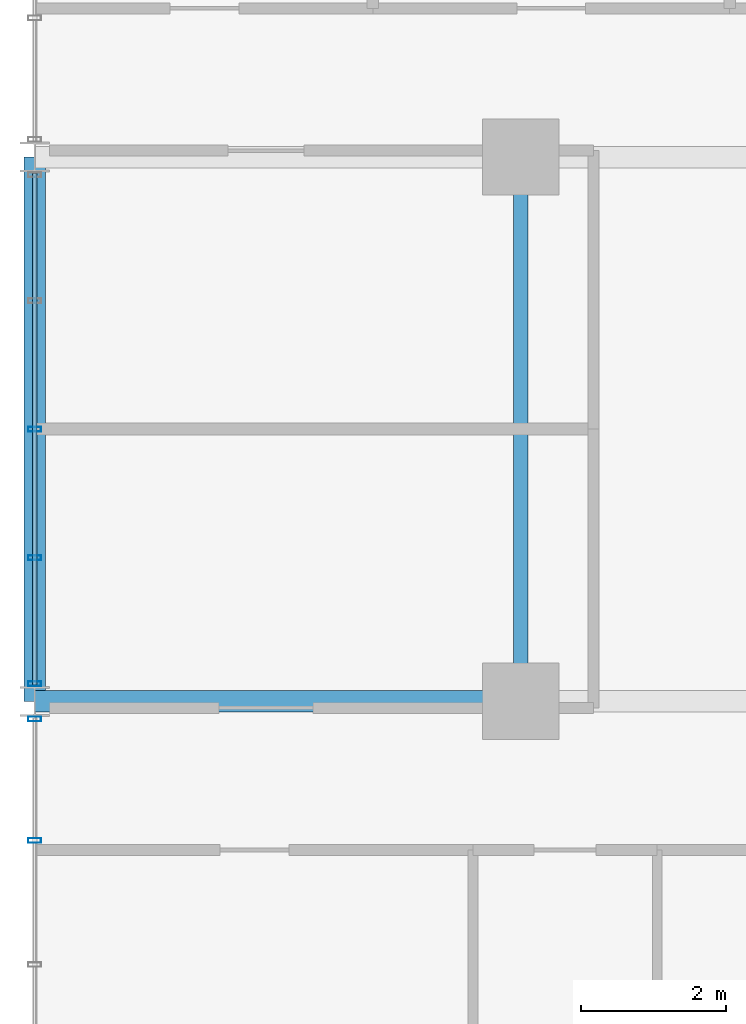
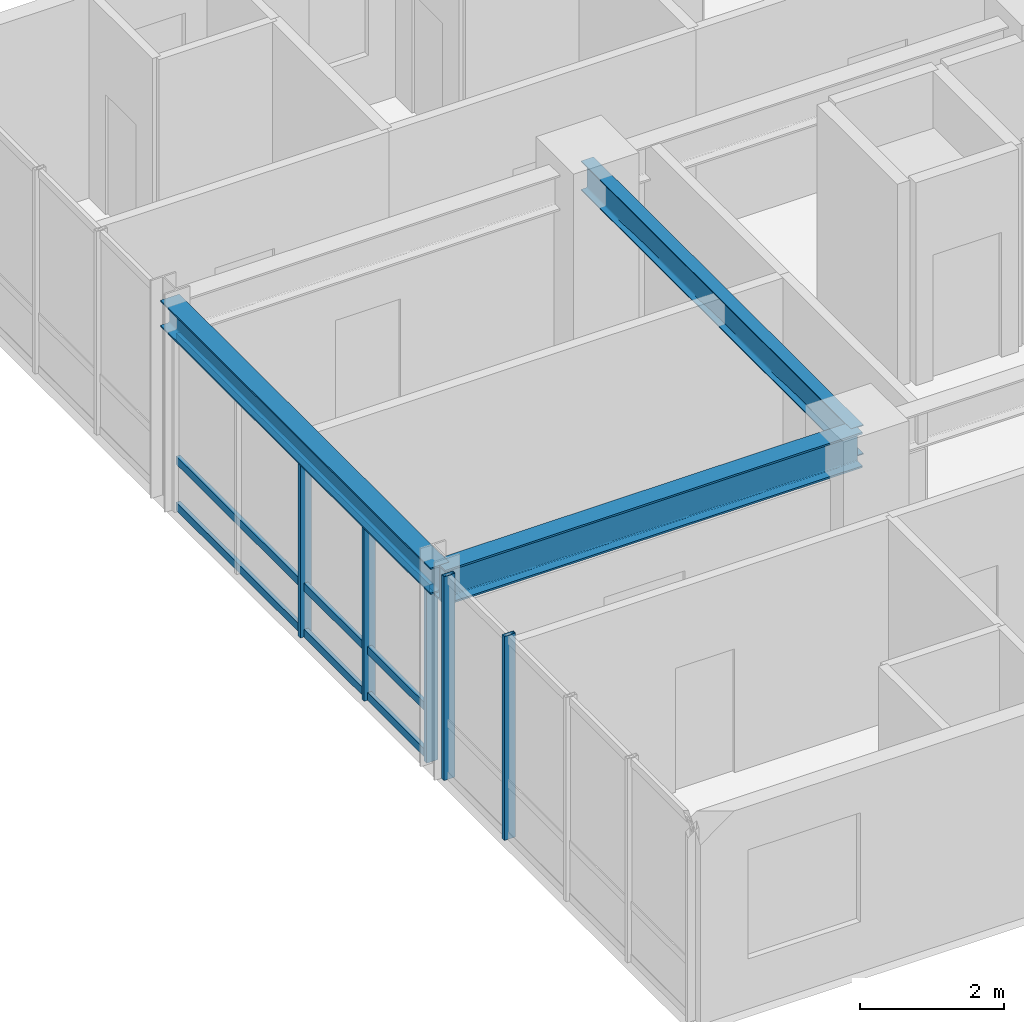
# One storey, part 5 of 20: 8 members, 3 beams, 2 elements without a shape of their own.
"""IFC4 building model written with IfcOpenShell, lengths in metres."""

from ifc_helpers import new_model, si_unit, direction, frame, origin, origin_2d, place, context, subcontext, project, spatial, hollow_rectangle, i_section, extrude, source, transform, mapped, material, layer, layer_set, material_profile, profile_set, type_object, element, aggregate, save


model = new_model("IFC4")

# Units and contexts
model_context = context("Model", 3, precision=1e-05, world=origin(), true_north=direction((0.0, 1.0)))
body_context = subcontext(model_context, "Body", "Model", "MODEL_VIEW")
ifc_project = project(units=[si_unit("LENGTHUNIT", "METRE"), si_unit("AREAUNIT", "SQUARE_METRE"), si_unit("VOLUMEUNIT", "CUBIC_METRE"), si_unit("PLANEANGLEUNIT", "RADIAN"), si_unit("MASSUNIT", "GRAM", prefix="KILO")], contexts=[model_context])

# Site, building, storey
site_placement = place(None, origin())
site = spatial("IfcSite", under=ifc_project, at=site_placement, CompositionType="ELEMENT")
building_placement = place(site_placement, origin())
building = spatial("IfcBuilding", under=site, at=building_placement, Name="Kaliganga Portal Commons", CompositionType="ELEMENT")
storey_placement = place(building_placement, frame((0.0, 0.0, 155.0)))
storey = spatial("IfcBuildingStorey", under=building, at=storey_placement, Name="L39", CompositionType="ELEMENT", Elevation=155.0)

# Beams
ifc_material_1 = material(Name="Structural steel S355J2", Category="steel")
ifc_material_profile_1 = material_profile(ifc_material_1, i_section(OverallWidth=0.199951171875, OverallDepth=0.5, WebThickness=0.01025390625, FlangeThickness=0.01611328125, FilletRadius=0.02099609375, at=origin_2d()), Name="IPE 500")
ifc_profile_set_1 = profile_set([ifc_material_profile_1], Name="Structural steel S355J2 wide-flange")
beam_type_1 = type_object("IfcBeamType", Name="BM-FLR-500", PredefinedType="BEAM", material=ifc_profile_set_1)
shared_shape_1 = source(origin(), body_context, "Body", "SweptSolid", [
    extrude(i_section(OverallWidth=0.199951171875, OverallDepth=0.5, WebThickness=0.01025390625, FlangeThickness=0.01611328125, FilletRadius=0.02099609375, at=origin_2d()), origin(), (0.0, 0.0, 1.0), 7.5),
])
beam_1_placement = place(storey_placement, frame((7.199951171875, 28.64990234375, 3.2099609375), z_axis=(0.0, 1.0, 0.0), x_axis=(-1.0, 0.0, 0.0)))
element("IfcBeam", 1, at=beam_1_placement, inside=storey, type_object=beam_type_1, Name="BM G L39 AW72", PredefinedType="BEAM", context=body_context, shape_type="MappedRepresentation", body=[
    mapped(shared_shape_1, transform((0.0, 0.0, 0.0), x_axis=(1.0, 0.0, 0.0), y_axis=(0.0, 1.0, 0.0), z_axis=(0.0, 0.0, 1.0), scale=1.0)),
])
ifc_material_profile_2 = material_profile(ifc_material_1, i_section(OverallWidth=0.300048828125, OverallDepth=0.449951171875, WebThickness=0.013916015625, FlangeThickness=0.02587890625, FilletRadius=0.027099609375, at=origin_2d()), Name="HE 450 B")
ifc_profile_set_2 = profile_set([ifc_material_profile_2], Name="Structural steel S355J2 wide-flange")
beam_type_2 = type_object("IfcBeamType", Name="BM-SPAND-450", PredefinedType="SPANDREL", material=ifc_profile_set_2)
shared_shape_2 = source(origin(), body_context, "Body", "SweptSolid", [
    extrude(i_section(OverallWidth=0.300048828125, OverallDepth=0.449951171875, WebThickness=0.013916015625, FlangeThickness=0.02587890625, FilletRadius=0.027099609375, at=origin_2d()), origin(), (0.0, 0.0, 1.0), 7.5),
])
beam_2_placement = place(storey_placement, frame((0.5, 28.64990234375, 3.235107421875), z_axis=(0.0, 1.0, 0.0), x_axis=(-1.0, 0.0, 0.0)))
element("IfcBeam", 2, at=beam_2_placement, inside=storey, type_object=beam_type_2, Name="BM SP L39 AW", PredefinedType="SPANDREL", context=body_context, shape_type="MappedRepresentation", body=[
    mapped(shared_shape_2, transform((0.0, 0.0, 0.0), x_axis=(1.0, 0.0, 0.0), y_axis=(0.0, 1.0, 0.0), z_axis=(0.0, 0.0, 1.0), scale=1.0)),
])
ifc_material_profile_3 = material_profile(ifc_material_1, i_section(OverallWidth=0.300048828125, OverallDepth=0.60009765625, WebThickness=0.015380859375, FlangeThickness=0.030029296875, FilletRadius=0.027099609375, at=origin_2d()), Name="HE 600 B")
ifc_profile_set_3 = profile_set([ifc_material_profile_3], Name="Structural steel S355J2 wide-flange")
beam_type_3 = type_object("IfcBeamType", Name="BM-GIRD-600", PredefinedType="USERDEFINED", material=ifc_profile_set_3)
shared_shape_3 = source(origin(), body_context, "Body", "SweptSolid", [
    extrude(i_section(OverallWidth=0.300048828125, OverallDepth=0.60009765625, WebThickness=0.015380859375, FlangeThickness=0.030029296875, FilletRadius=0.027099609375, at=origin_2d()), origin(), (0.0, 0.0, 1.0), 6.699951171875),
])
beam_3_placement = place(storey_placement, frame((0.5, 28.64990234375, 3.159912109375), z_axis=(1.0, 0.0, 0.0), x_axis=(0.0, 1.0, 0.0)))
element("IfcBeam", 3, at=beam_3_placement, inside=storey, type_object=beam_type_3, Name="BM G L39 WAH_S 1", ObjectType="GIRDER", PredefinedType="USERDEFINED", context=body_context, shape_type="MappedRepresentation", body=[
    mapped(shared_shape_3, transform((0.0, 0.0, 0.0), x_axis=(1.0, 0.0, 0.0), y_axis=(0.0, 1.0, 0.0), z_axis=(0.0, 0.0, 1.0), scale=1.0)),
])

# Curtain wall, members
ifc_material_2 = material(Name="Anodized Aluminium and Laminated Low-E Glass", Category="aluminium")
ifc_layer = layer(ifc_material_2, 0.199951171875)
ifc_layer_set = layer_set([ifc_layer], Name="Anodized Aluminium and Laminated Low-E Glass")
curtain_wall_type = type_object("IfcCurtainWallType", Name="CW-SYS-02", PredefinedType="NOTDEFINED", material=ifc_layer_set)
curtain_wall_1_placement = place(storey_placement, origin())
curtain_wall_1 = element("IfcCurtainWall", 4, at=curtain_wall_1_placement, inside=storey, type_object=curtain_wall_type, Name="CW 02 L39 P1E03S3", PredefinedType="NOTDEFINED")
ifc_material_3 = material(Name="Dark Bronze Anodized Aluminium", Category="aluminium")
ifc_material_profile_4 = material_profile(ifc_material_3, hollow_rectangle(XDim=0.06494140625, YDim=0.179931640625, WallThickness=0.00390625, at=origin_2d()), Name="ALU MULL 65x180x4")
ifc_profile_set_4 = profile_set([ifc_material_profile_4], Name="Dark Bronze Anodized Aluminium")
member_type_1 = type_object("IfcMemberType", Name="CW-MUL-180", PredefinedType="MULLION", material=ifc_profile_set_4)
shared_shape_4 = source(origin(), body_context, "Body", "SweptSolid", [
    extrude(hollow_rectangle(XDim=0.06494140625, YDim=0.179931640625, WallThickness=0.00390625, at=origin_2d()), origin(), (0.0, 0.0, 1.0), 3.4599609375),
])
member_1_placement = place(storey_placement, frame((0.5, 28.406982421875, 0.0), z_axis=(0.0, 0.0, 1.0), x_axis=(0.0, -1.0, 0.0)))
member_1 = element("IfcMember", 5, at=member_1_placement, type_object=member_type_1, Name="CW:02:L39:P1E03S3 Mullion 00", PredefinedType="MULLION", context=body_context, shape_type="MappedRepresentation", body=[
    mapped(shared_shape_4, transform((0.0, 0.0, 0.0), x_axis=(1.0, 0.0, 0.0), y_axis=(0.0, 1.0, 0.0), z_axis=(0.0, 0.0, 1.0), scale=1.0)),
])
member_2_placement = place(storey_placement, frame((0.5, 26.7314453125, 0.0), z_axis=(0.0, 0.0, 1.0), x_axis=(0.0, -1.0, 0.0)))
member_2 = element("IfcMember", 6, at=member_2_placement, type_object=member_type_1, Name="CW:02:L39:P1E03S3 Mullion 01", PredefinedType="MULLION", context=body_context, shape_type="MappedRepresentation", body=[
    mapped(shared_shape_4, transform((0.0, 0.0, 0.0), x_axis=(1.0, 0.0, 0.0), y_axis=(0.0, 1.0, 0.0), z_axis=(0.0, 0.0, 1.0), scale=1.0)),
])
aggregate(curtain_wall_1, [member_1, member_2])

curtain_wall_2_placement = place(storey_placement, origin())
curtain_wall_2 = element("IfcCurtainWall", 7, at=curtain_wall_2_placement, inside=storey, type_object=curtain_wall_type, Name="CW 02 L39 P1E03S2", PredefinedType="NOTDEFINED")
shared_shape_5 = source(origin(), body_context, "Body", "SweptSolid", [
    extrude(hollow_rectangle(XDim=0.06494140625, YDim=0.179931640625, WallThickness=0.00390625, at=origin_2d()), origin(), (0.0, 0.0, 1.0), 3.010009765625),
])
member_3_placement = place(storey_placement, frame((0.5, 32.39990234375, 0.0), z_axis=(0.0, 0.0, 1.0), x_axis=(0.0, -1.0, 0.0)))
member_3 = element("IfcMember", 8, at=member_3_placement, type_object=member_type_1, Name="CW:02:L39:P1E03S2 Mullion 02", PredefinedType="MULLION", context=body_context, shape_type="MappedRepresentation", body=[
    mapped(shared_shape_5, transform((0.0, 0.0, 0.0), x_axis=(1.0, 0.0, 0.0), y_axis=(0.0, 1.0, 0.0), z_axis=(0.0, 0.0, 1.0), scale=1.0)),
])
member_4_placement = place(storey_placement, frame((0.5, 30.62890625, 0.0), z_axis=(0.0, 0.0, 1.0), x_axis=(0.0, -1.0, 0.0)))
member_4 = element("IfcMember", 9, at=member_4_placement, type_object=member_type_1, Name="CW:02:L39:P1E03S2 Mullion 03", PredefinedType="MULLION", context=body_context, shape_type="MappedRepresentation", body=[
    mapped(shared_shape_5, transform((0.0, 0.0, 0.0), x_axis=(1.0, 0.0, 0.0), y_axis=(0.0, 1.0, 0.0), z_axis=(0.0, 0.0, 1.0), scale=1.0)),
])
member_5_placement = place(storey_placement, frame((0.5, 28.89306640625, 0.0), z_axis=(0.0, 0.0, 1.0), x_axis=(0.0, -1.0, 0.0)))
member_5 = element("IfcMember", 10, at=member_5_placement, type_object=member_type_1, Name="CW:02:L39:P1E03S2 Mullion 04", PredefinedType="MULLION", context=body_context, shape_type="MappedRepresentation", body=[
    mapped(shared_shape_5, transform((0.0, 0.0, 0.0), x_axis=(1.0, 0.0, 0.0), y_axis=(0.0, 1.0, 0.0), z_axis=(0.0, 0.0, 1.0), scale=1.0)),
])
ifc_material_profile_5 = material_profile(ifc_material_3, hollow_rectangle(XDim=0.06494140625, YDim=0.135009765625, WallThickness=0.00341796875, at=origin_2d()), Name="ALU TRAN 65x135x3.5")
ifc_profile_set_5 = profile_set([ifc_material_profile_5], Name="Dark Bronze Anodized Aluminium")
member_type_2 = type_object("IfcMemberType", Name="CW-TRN-135", PredefinedType="USERDEFINED", material=ifc_profile_set_5)
shared_shape_6 = source(origin(), body_context, "Body", "SweptSolid", [
    extrude(hollow_rectangle(XDim=0.06494140625, YDim=0.135009765625, WallThickness=0.00341796875, at=origin_2d()), origin(), (0.0, 0.0, 1.0), 7.044189453125),
])
member_6_placement = place(storey_placement, frame((0.5, 35.922119140625, 0.06005859375), z_axis=(0.0, -1.0, 0.0), x_axis=(1.0, 0.0, 0.0)))
member_6 = element("IfcMember", 11, at=member_6_placement, type_object=member_type_2, Name="CW:02:L39:P1E03S2 Transom 1", ObjectType="TRANSOM", PredefinedType="USERDEFINED", context=body_context, shape_type="MappedRepresentation", body=[
    mapped(shared_shape_6, transform((0.0, 0.0, 0.0), x_axis=(1.0, 0.0, 0.0), y_axis=(0.0, 1.0, 0.0), z_axis=(0.0, 0.0, 1.0), scale=1.0)),
])
member_7_placement = place(storey_placement, frame((0.5, 35.922119140625, 0.8427734375), z_axis=(0.0, -1.0, 0.0), x_axis=(1.0, 0.0, 0.0)))
member_7 = element("IfcMember", 12, at=member_7_placement, type_object=member_type_2, Name="CW:02:L39:P1E03S2 Transom 2", ObjectType="TRANSOM", PredefinedType="USERDEFINED", context=body_context, shape_type="MappedRepresentation", body=[
    mapped(shared_shape_6, transform((0.0, 0.0, 0.0), x_axis=(1.0, 0.0, 0.0), y_axis=(0.0, 1.0, 0.0), z_axis=(0.0, 0.0, 1.0), scale=1.0)),
])
member_8_placement = place(storey_placement, frame((0.5, 35.922119140625, 2.929931640625), z_axis=(0.0, -1.0, 0.0), x_axis=(1.0, 0.0, 0.0)))
member_8 = element("IfcMember", 13, at=member_8_placement, type_object=member_type_2, Name="CW:02:L39:P1E03S2 Transom 3", ObjectType="TRANSOM", PredefinedType="USERDEFINED", context=body_context, shape_type="MappedRepresentation", body=[
    mapped(shared_shape_6, transform((0.0, 0.0, 0.0), x_axis=(1.0, 0.0, 0.0), y_axis=(0.0, 1.0, 0.0), z_axis=(0.0, 0.0, 1.0), scale=1.0)),
])
aggregate(curtain_wall_2, [member_3, member_4, member_5, member_6, member_7, member_8])

save(model, "model.ifc")
